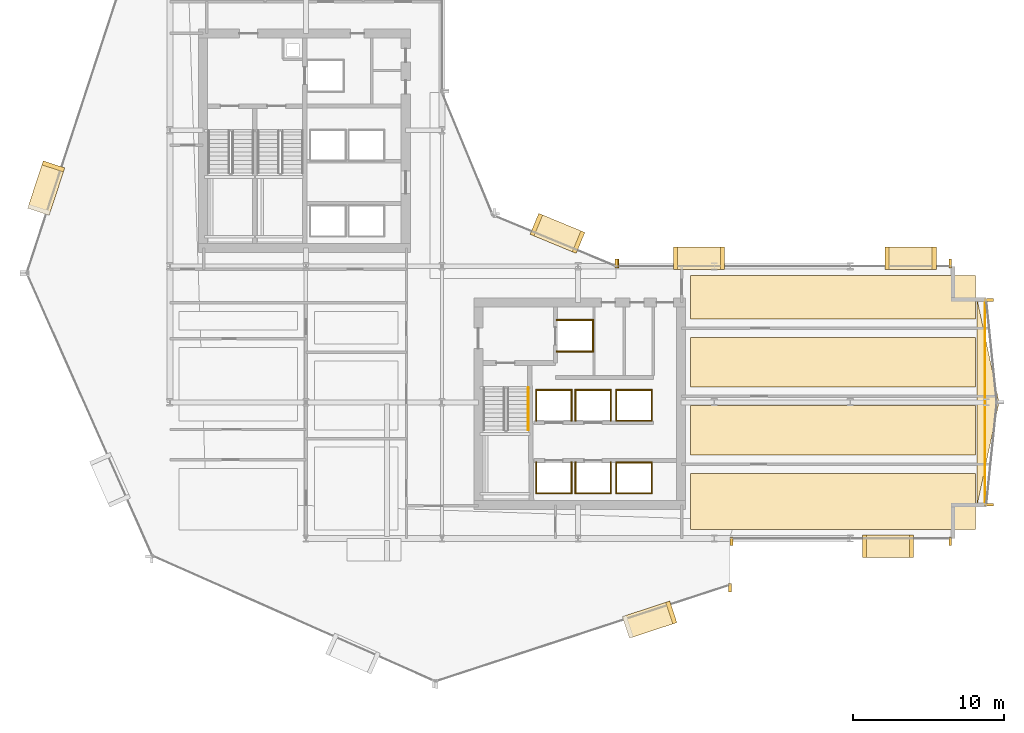
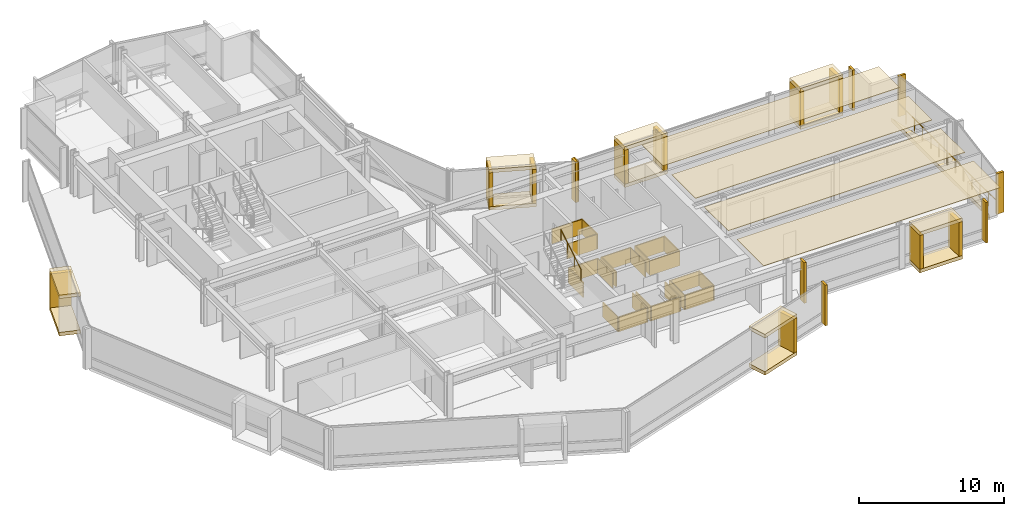
# One storey, part 32 of 34: 58 coverings, 2 railings.
"""IFC4 building model written with IfcOpenShell, lengths in metres."""

from ifc_helpers import new_model, si_unit, direction, frame, origin, origin_2d, place, context, subcontext, project, spatial, polyline, rectangle, circle, outline, extrude, material, layer, layer_set, type_object, element, save


model = new_model("IFC4")

# Units and contexts
model_context = context("Model", 3, precision=1e-05, world=origin(), true_north=direction((0.0, 1.0)))
body_context = subcontext(model_context, "Body", "Model", "MODEL_VIEW")
ifc_project = project(units=[si_unit("LENGTHUNIT", "METRE"), si_unit("AREAUNIT", "SQUARE_METRE"), si_unit("VOLUMEUNIT", "CUBIC_METRE"), si_unit("PLANEANGLEUNIT", "RADIAN"), si_unit("MASSUNIT", "GRAM", prefix="KILO")], contexts=[model_context])

# Site, building, storey
site_placement = place(None, origin())
site = spatial("IfcSite", under=ifc_project, at=site_placement, CompositionType="ELEMENT")
building_placement = place(site_placement, origin())
building = spatial("IfcBuilding", under=site, at=building_placement, Name="Solvaryn Broadcast Tower", CompositionType="ELEMENT")
storey_placement = place(building_placement, frame((0.0, 0.0, 92.800048828125)))
storey = spatial("IfcBuildingStorey", under=building, at=storey_placement, Name="L22", CompositionType="ELEMENT", Elevation=92.800048828125)

# Coverings
ifc_material_1 = material(Name="Micro-Perforated Acoustic Gypsum Ceiling", Category="concrete")
ifc_layer_1 = layer(ifc_material_1, 0.0400390625)
ifc_layer_set_1 = layer_set([ifc_layer_1], Name="CV-CEIL-ACOUSTIC")
covering_type_1 = type_object("IfcCoveringType", Name="CV-CEIL-ACOUSTIC", PredefinedType="CEILING", material=ifc_layer_set_1)
covering_1_placement = place(storey_placement, frame((0.0, 0.0, 3.3798828125)))
element("IfcCovering", 1, at=covering_1_placement, inside=storey, type_object=covering_type_1, Name="L22 Room Acoustic Ceiling 10", PredefinedType="CEILING", context=body_context, shape_type="SweptSolid", body=[
    extrude(outline(polyline([(43.449951171875, 9.60009765625), (62.300048828125, 9.60009765625), (62.300048828125, 13.300048828125), (43.449951171875, 13.300048828125), (43.449951171875, 9.60009765625)])), origin(), (0.0, 0.0, 1.0), 0.0400390625),
])
covering_2_placement = place(storey_placement, frame((0.0, 0.0, 3.3798828125)))
element("IfcCovering", 2, at=covering_2_placement, inside=storey, type_object=covering_type_1, Name="L22 Room Acoustic Ceiling 11", PredefinedType="CEILING", context=body_context, shape_type="SweptSolid", body=[
    extrude(outline(polyline([(43.449951171875, 14.5), (62.300048828125, 14.5), (62.300048828125, 17.800048828125), (43.449951171875, 17.800048828125), (43.449951171875, 14.5)])), origin(), (0.0, 0.0, 1.0), 0.0400390625),
])
covering_3_placement = place(storey_placement, frame((0.0, 0.0, 3.3798828125)))
element("IfcCovering", 3, at=covering_3_placement, inside=storey, type_object=covering_type_1, Name="L22 Room Acoustic Ceiling 12", PredefinedType="CEILING", context=body_context, shape_type="SweptSolid", body=[
    extrude(outline(polyline([(43.449951171875, 19.0), (62.300048828125, 19.0), (62.300048828125, 22.300048828125), (43.449951171875, 22.300048828125), (43.449951171875, 19.0)])), origin(), (0.0, 0.0, 1.0), 0.0400390625),
])
covering_4_placement = place(storey_placement, frame((0.0, 0.0, 3.3798828125)))
element("IfcCovering", 4, at=covering_4_placement, inside=storey, type_object=covering_type_1, Name="L22 Room Acoustic Ceiling 13", PredefinedType="CEILING", context=body_context, shape_type="SweptSolid", body=[
    extrude(outline(polyline([(43.449951171875, 23.5), (62.300048828125, 23.5), (62.300048828125, 26.39990234375), (43.449951171875, 26.39990234375), (43.449951171875, 23.5)])), origin(), (0.0, 0.0, 1.0), 0.0400390625),
])
ifc_material_2 = material(Name="Fire-Rated Gypsum Shaftwall Liner", Category="concrete")
ifc_layer_2 = layer(ifc_material_2, 0.080078125)
ifc_layer_set_2 = layer_set([ifc_layer_2], Name="CV-SHAFT-LINER")
covering_type_2 = type_object("IfcCoveringType", Name="CV-SHAFT-LINER", PredefinedType="CLADDING", material=ifc_layer_set_2)
for number, where, z_axis, x_axis, name in (
    (5, (35.800048828125, 23.43994140625, 0.0), (0.0, 0.0, 1.0), (1.0, 0.0, 0.0), "L22 FL2 Hoistway Shaft Liner North"),
    (6, (35.800048828125, 21.360107421875, 0.0), (0.0, 0.0, 1.0), (1.0, 0.0, 0.0), "L22 FL2 Hoistway Shaft Liner South"),
):
    element("IfcCovering", number, at=place(storey_placement, frame(where, z_axis=z_axis, x_axis=x_axis)), inside=storey, type_object=covering_type_2, Name=name, PredefinedType="CLADDING", context=body_context, shape_type="SweptSolid", body=[
        extrude(rectangle(XDim=2.4599609375, YDim=0.080078125, at=origin_2d()), origin(), (0.0, 0.0, 1.0), 1.25),
    ])
covering_5_placement = place(storey_placement, frame((36.989990234375, 22.39990234375, 0.0), z_axis=(0.0, 0.0, 1.0), x_axis=(1.0, 0.0, 0.0)))
element("IfcCovering", 7, at=covering_5_placement, inside=storey, type_object=covering_type_2, Name="L22 FL2 Hoistway Shaft Liner East", PredefinedType="CLADDING", context=body_context, shape_type="SweptSolid", body=[
    extrude(rectangle(XDim=0.080078125, YDim=2.159912109375, at=origin_2d()), origin(), (0.0, 0.0, 1.0), 1.25),
])
covering_6_placement = place(storey_placement, frame((34.39990234375, 11.985107421875, 0.0), z_axis=(0.0, 0.0, 1.0), x_axis=(1.0, 0.0, 0.0)))
element("IfcCovering", 8, at=covering_6_placement, inside=storey, type_object=covering_type_2, Name="L22 PL1 Hoistway Shaft Liner South", PredefinedType="CLADDING", context=body_context, shape_type="SweptSolid", body=[
    extrude(rectangle(XDim=2.409912109375, YDim=0.080078125, at=origin_2d()), origin(), (0.0, 0.0, 1.0), 1.25),
])
for number, where, z_axis, x_axis, name in (
    (9, (35.56494140625, 13.0, 0.0), (0.0, 0.0, 1.0), (1.0, 0.0, 0.0), "L22 PL1 Hoistway Shaft Liner East"),
    (10, (33.235107421875, 13.0, 0.0), (0.0, 0.0, 1.0), (1.0, 0.0, 0.0), "L22 PL1 Hoistway Shaft Liner West"),
):
    element("IfcCovering", number, at=place(storey_placement, frame(where, z_axis=z_axis, x_axis=x_axis)), inside=storey, type_object=covering_type_2, Name=name, PredefinedType="CLADDING", context=body_context, shape_type="SweptSolid", body=[
        extrude(rectangle(XDim=0.080078125, YDim=2.110107421875, at=origin_2d()), origin(), (0.0, 0.0, 1.0), 1.25),
    ])
covering_7_placement = place(storey_placement, frame((37.0, 11.985107421875, 0.0), z_axis=(0.0, 0.0, 1.0), x_axis=(1.0, 0.0, 0.0)))
element("IfcCovering", 11, at=covering_7_placement, inside=storey, type_object=covering_type_2, Name="L22 PL2 Hoistway Shaft Liner South", PredefinedType="CLADDING", context=body_context, shape_type="SweptSolid", body=[
    extrude(rectangle(XDim=2.409912109375, YDim=0.080078125, at=origin_2d()), origin(), (0.0, 0.0, 1.0), 1.25),
])
for number, where, z_axis, x_axis, name in (
    (12, (38.1650390625, 13.0, 0.0), (0.0, 0.0, 1.0), (1.0, 0.0, 0.0), "L22 PL2 Hoistway Shaft Liner East"),
    (13, (35.8349609375, 13.0, 0.0), (0.0, 0.0, 1.0), (1.0, 0.0, 0.0), "L22 PL2 Hoistway Shaft Liner West"),
):
    element("IfcCovering", number, at=place(storey_placement, frame(where, z_axis=z_axis, x_axis=x_axis)), inside=storey, type_object=covering_type_2, Name=name, PredefinedType="CLADDING", context=body_context, shape_type="SweptSolid", body=[
        extrude(rectangle(XDim=0.080078125, YDim=2.110107421875, at=origin_2d()), origin(), (0.0, 0.0, 1.0), 1.25),
    ])
covering_8_placement = place(storey_placement, frame((34.39990234375, 18.81494140625, 0.0), z_axis=(0.0, 0.0, 1.0), x_axis=(1.0, 0.0, 0.0)))
element("IfcCovering", 14, at=covering_8_placement, inside=storey, type_object=covering_type_2, Name="L22 PL3 Hoistway Shaft Liner North", PredefinedType="CLADDING", context=body_context, shape_type="SweptSolid", body=[
    extrude(rectangle(XDim=2.409912109375, YDim=0.080078125, at=origin_2d()), origin(), (0.0, 0.0, 1.0), 1.25),
])
for number, where, z_axis, x_axis, name in (
    (15, (35.56494140625, 17.800048828125, 0.0), (0.0, 0.0, 1.0), (1.0, 0.0, 0.0), "L22 PL3 Hoistway Shaft Liner East"),
    (16, (33.235107421875, 17.800048828125, 0.0), (0.0, 0.0, 1.0), (1.0, 0.0, 0.0), "L22 PL3 Hoistway Shaft Liner West"),
):
    element("IfcCovering", number, at=place(storey_placement, frame(where, z_axis=z_axis, x_axis=x_axis)), inside=storey, type_object=covering_type_2, Name=name, PredefinedType="CLADDING", context=body_context, shape_type="SweptSolid", body=[
        extrude(rectangle(XDim=0.080078125, YDim=2.110107421875, at=origin_2d()), origin(), (0.0, 0.0, 1.0), 1.25),
    ])
covering_9_placement = place(storey_placement, frame((37.0, 18.81494140625, 0.0), z_axis=(0.0, 0.0, 1.0), x_axis=(1.0, 0.0, 0.0)))
element("IfcCovering", 17, at=covering_9_placement, inside=storey, type_object=covering_type_2, Name="L22 PL4 Hoistway Shaft Liner North", PredefinedType="CLADDING", context=body_context, shape_type="SweptSolid", body=[
    extrude(rectangle(XDim=2.409912109375, YDim=0.080078125, at=origin_2d()), origin(), (0.0, 0.0, 1.0), 1.25),
])
for number, where, z_axis, x_axis, name in (
    (18, (38.1650390625, 17.800048828125, 0.0), (0.0, 0.0, 1.0), (1.0, 0.0, 0.0), "L22 PL4 Hoistway Shaft Liner East"),
    (19, (35.8349609375, 17.800048828125, 0.0), (0.0, 0.0, 1.0), (1.0, 0.0, 0.0), "L22 PL4 Hoistway Shaft Liner West"),
):
    element("IfcCovering", number, at=place(storey_placement, frame(where, z_axis=z_axis, x_axis=x_axis)), inside=storey, type_object=covering_type_2, Name=name, PredefinedType="CLADDING", context=body_context, shape_type="SweptSolid", body=[
        extrude(rectangle(XDim=0.080078125, YDim=2.110107421875, at=origin_2d()), origin(), (0.0, 0.0, 1.0), 1.25),
    ])
for number, where, z_axis, x_axis, name in (
    (20, (39.699951171875, 14.014892578125, 0.0), (0.0, 0.0, 1.0), (1.0, 0.0, 0.0), "L22 PM1 Hoistway Shaft Liner North"),
    (21, (39.699951171875, 11.985107421875, 0.0), (0.0, 0.0, 1.0), (1.0, 0.0, 0.0), "L22 PM1 Hoistway Shaft Liner South"),
):
    element("IfcCovering", number, at=place(storey_placement, frame(where, z_axis=z_axis, x_axis=x_axis)), inside=storey, type_object=covering_type_2, Name=name, PredefinedType="CLADDING", context=body_context, shape_type="SweptSolid", body=[
        extrude(rectangle(XDim=2.409912109375, YDim=0.080078125, at=origin_2d()), origin(), (0.0, 0.0, 1.0), 1.25),
    ])
for number, where, z_axis, x_axis, name in (
    (22, (40.864990234375, 13.0, 0.0), (0.0, 0.0, 1.0), (1.0, 0.0, 0.0), "L22 PM1 Hoistway Shaft Liner East"),
    (23, (38.534912109375, 13.0, 0.0), (0.0, 0.0, 1.0), (1.0, 0.0, 0.0), "L22 PM1 Hoistway Shaft Liner West"),
):
    element("IfcCovering", number, at=place(storey_placement, frame(where, z_axis=z_axis, x_axis=x_axis)), inside=storey, type_object=covering_type_2, Name=name, PredefinedType="CLADDING", context=body_context, shape_type="SweptSolid", body=[
        extrude(rectangle(XDim=0.080078125, YDim=2.110107421875, at=origin_2d()), origin(), (0.0, 0.0, 1.0), 1.25),
    ])
for number, where, z_axis, x_axis, name in (
    (24, (39.699951171875, 18.81494140625, 0.0), (0.0, 0.0, 1.0), (1.0, 0.0, 0.0), "L22 PM2 Hoistway Shaft Liner North"),
    (25, (39.699951171875, 16.784912109375, 0.0), (0.0, 0.0, 1.0), (1.0, 0.0, 0.0), "L22 PM2 Hoistway Shaft Liner South"),
):
    element("IfcCovering", number, at=place(storey_placement, frame(where, z_axis=z_axis, x_axis=x_axis)), inside=storey, type_object=covering_type_2, Name=name, PredefinedType="CLADDING", context=body_context, shape_type="SweptSolid", body=[
        extrude(rectangle(XDim=2.409912109375, YDim=0.080078125, at=origin_2d()), origin(), (0.0, 0.0, 1.0), 1.25),
    ])
for number, where, z_axis, x_axis, name in (
    (26, (40.864990234375, 17.800048828125, 0.0), (0.0, 0.0, 1.0), (1.0, 0.0, 0.0), "L22 PM2 Hoistway Shaft Liner East"),
    (27, (38.534912109375, 17.800048828125, 0.0), (0.0, 0.0, 1.0), (1.0, 0.0, 0.0), "L22 PM2 Hoistway Shaft Liner West"),
):
    element("IfcCovering", number, at=place(storey_placement, frame(where, z_axis=z_axis, x_axis=x_axis)), inside=storey, type_object=covering_type_2, Name=name, PredefinedType="CLADDING", context=body_context, shape_type="SweptSolid", body=[
        extrude(rectangle(XDim=0.080078125, YDim=2.110107421875, at=origin_2d()), origin(), (0.0, 0.0, 1.0), 1.25),
    ])
ifc_material_3 = material(Name="Glazed Architectural Terracotta Rainscreen Cladding", Category="masonry")
ifc_layer_3 = layer(ifc_material_3, 0.280029296875)
ifc_layer_set_3 = layer_set([ifc_layer_3], Name="CV-TC-CLAD")
covering_type_3 = type_object("IfcCoveringType", Name="CV-TC-CLAD", PredefinedType="CLADDING", material=ifc_layer_set_3)
for number, where, z_axis, x_axis, name in (
    (28, (0.819091796875, 32.173095703125, 3.1298828125), (0.0, 0.0, 1.0), (-0.311671636848, -0.950189870912, 0.0), "L22 Projecting Stone Window Box Hood 1"),
    (29, (0.819091796875, 32.173095703125, -0.01025390625), (0.0, 0.0, 1.0), (-0.311671636848, -0.950189870912, 0.0), "L22 Projecting Stone Window Box Sill 1"),
):
    element("IfcCovering", number, at=place(storey_placement, frame(where, z_axis=z_axis, x_axis=x_axis)), inside=storey, type_object=covering_type_3, Name=name, PredefinedType="CLADDING", context=body_context, shape_type="SweptSolid", body=[
        extrude(rectangle(XDim=3.300048828125, YDim=1.5, at=origin_2d()), origin(), (0.0, 0.0, 1.0), 0.300048828125),
    ])
covering_10_placement = place(storey_placement, frame((1.28955078125, 33.60791015625, 0.27978515625), z_axis=(0.0, 0.0, 1.0), x_axis=(-0.311671636848, -0.950189870912, 0.0)))
element("IfcCovering", 30, at=covering_10_placement, inside=storey, type_object=covering_type_3, Name="L22 Projecting Stone Window Box Cheek 1-1", PredefinedType="CLADDING", context=body_context, shape_type="SweptSolid", body=[
    extrude(rectangle(XDim=0.280029296875, YDim=1.5, at=origin_2d()), origin(), (0.0, 0.0, 1.0), 2.860107421875),
])
for number, where, z_axis, x_axis, name in (
    (31, (40.73291015625, 3.6259765625, 3.1298828125), (0.0, 0.0, 1.0), (0.950189870912, 0.311671636848, 0.0), "L22 Projecting Stone Window Box Hood 4"),
    (32, (40.73291015625, 3.6259765625, -0.01025390625), (0.0, 0.0, 1.0), (0.950189870912, 0.311671636848, 0.0), "L22 Projecting Stone Window Box Sill 4"),
):
    element("IfcCovering", number, at=place(storey_placement, frame(where, z_axis=z_axis, x_axis=x_axis)), inside=storey, type_object=covering_type_3, Name=name, PredefinedType="CLADDING", context=body_context, shape_type="SweptSolid", body=[
        extrude(rectangle(XDim=3.300048828125, YDim=1.5, at=origin_2d()), origin(), (0.0, 0.0, 1.0), 0.300048828125),
    ])
covering_11_placement = place(storey_placement, frame((42.167724609375, 4.0966796875, 0.27978515625), z_axis=(0.0, 0.0, 1.0), x_axis=(0.950189870912, 0.311671636848, 0.0)))
element("IfcCovering", 33, at=covering_11_placement, inside=storey, type_object=covering_type_3, Name="L22 Projecting Stone Window Box Cheek 4-2", PredefinedType="CLADDING", context=body_context, shape_type="SweptSolid", body=[
    extrude(rectangle(XDim=0.280029296875, YDim=1.5, at=origin_2d()), origin(), (0.0, 0.0, 1.0), 2.860107421875),
])
for number, where, z_axis, x_axis, name in (
    (34, (34.636962890625, 29.174072265625, 3.1298828125), (0.0, 0.0, 1.0), (-0.923879532511, 0.382683432365, 0.0), "L22 Projecting Stone Window Box Hood 5"),
    (35, (34.636962890625, 29.174072265625, -0.01025390625), (0.0, 0.0, 1.0), (-0.923879532511, 0.382683432365, 0.0), "L22 Projecting Stone Window Box Sill 5"),
):
    element("IfcCovering", number, at=place(storey_placement, frame(where, z_axis=z_axis, x_axis=x_axis)), inside=storey, type_object=covering_type_3, Name=name, PredefinedType="CLADDING", context=body_context, shape_type="SweptSolid", body=[
        extrude(rectangle(XDim=3.300048828125, YDim=1.5, at=origin_2d()), origin(), (0.0, 0.0, 1.0), 0.300048828125),
    ])
for number, where, z_axis, x_axis, name in (
    (36, (36.031982421875, 28.59619140625, 0.27978515625), (0.0, 0.0, 1.0), (-0.923879532511, 0.382683432365, 0.0), "L22 Projecting Stone Window Box Cheek 5-1"),
    (37, (33.241943359375, 29.751953125, 0.27978515625), (0.0, 0.0, 1.0), (-0.923879532511, 0.382683432365, 0.0), "L22 Projecting Stone Window Box Cheek 5-2"),
):
    element("IfcCovering", number, at=place(storey_placement, frame(where, z_axis=z_axis, x_axis=x_axis)), inside=storey, type_object=covering_type_3, Name=name, PredefinedType="CLADDING", context=body_context, shape_type="SweptSolid", body=[
        extrude(rectangle(XDim=0.280029296875, YDim=1.5, at=origin_2d()), origin(), (0.0, 0.0, 1.0), 2.860107421875),
    ])
for number, where, z_axis, x_axis, name in (
    (38, (56.5, 8.469970703125, 3.1298828125), (0.0, 0.0, 1.0), (1.0, 0.0, 0.0), "L22 Projecting Stone Window Box Hood 6"),
    (39, (56.5, 8.469970703125, -0.01025390625), (0.0, 0.0, 1.0), (1.0, 0.0, 0.0), "L22 Projecting Stone Window Box Sill 6"),
):
    element("IfcCovering", number, at=place(storey_placement, frame(where, z_axis=z_axis, x_axis=x_axis)), inside=storey, type_object=covering_type_3, Name=name, PredefinedType="CLADDING", context=body_context, shape_type="SweptSolid", body=[
        extrude(rectangle(XDim=3.39990234375, YDim=1.5, at=origin_2d()), origin(), (0.0, 0.0, 1.0), 0.300048828125),
    ])
for number, where, z_axis, x_axis, name in (
    (40, (54.93994140625, 8.469970703125, 0.27978515625), (0.0, 0.0, 1.0), (1.0, 0.0, 0.0), "L22 Projecting Stone Window Box Cheek 6-1"),
    (41, (58.06005859375, 8.469970703125, 0.27978515625), (0.0, 0.0, 1.0), (1.0, 0.0, 0.0), "L22 Projecting Stone Window Box Cheek 6-2"),
):
    element("IfcCovering", number, at=place(storey_placement, frame(where, z_axis=z_axis, x_axis=x_axis)), inside=storey, type_object=covering_type_3, Name=name, PredefinedType="CLADDING", context=body_context, shape_type="SweptSolid", body=[
        extrude(rectangle(XDim=0.280029296875, YDim=1.5, at=origin_2d()), origin(), (0.0, 0.0, 1.0), 2.860107421875),
    ])
for number, where, z_axis, x_axis, name in (
    (42, (44.0, 27.530029296875, 3.1298828125), (0.0, 0.0, 1.0), (1.0, 0.0, 0.0), "L22 Projecting Stone Window Box Hood 7"),
    (43, (44.0, 27.530029296875, -0.01025390625), (0.0, 0.0, 1.0), (1.0, 0.0, 0.0), "L22 Projecting Stone Window Box Sill 7"),
):
    element("IfcCovering", number, at=place(storey_placement, frame(where, z_axis=z_axis, x_axis=x_axis)), inside=storey, type_object=covering_type_3, Name=name, PredefinedType="CLADDING", context=body_context, shape_type="SweptSolid", body=[
        extrude(rectangle(XDim=3.39990234375, YDim=1.5, at=origin_2d()), origin(), (0.0, 0.0, 1.0), 0.300048828125),
    ])
for number, where, z_axis, x_axis, name in (
    (44, (42.43994140625, 27.530029296875, 0.27978515625), (0.0, 0.0, 1.0), (1.0, 0.0, 0.0), "L22 Projecting Stone Window Box Cheek 7-1"),
    (45, (45.56005859375, 27.530029296875, 0.27978515625), (0.0, 0.0, 1.0), (1.0, 0.0, 0.0), "L22 Projecting Stone Window Box Cheek 7-2"),
):
    element("IfcCovering", number, at=place(storey_placement, frame(where, z_axis=z_axis, x_axis=x_axis)), inside=storey, type_object=covering_type_3, Name=name, PredefinedType="CLADDING", context=body_context, shape_type="SweptSolid", body=[
        extrude(rectangle(XDim=0.280029296875, YDim=1.5, at=origin_2d()), origin(), (0.0, 0.0, 1.0), 2.860107421875),
    ])
for number, where, z_axis, x_axis, name in (
    (46, (58.0, 27.530029296875, 3.1298828125), (0.0, 0.0, 1.0), (1.0, 0.0, 0.0), "L22 Projecting Stone Window Box Hood 8"),
    (47, (58.0, 27.530029296875, -0.01025390625), (0.0, 0.0, 1.0), (1.0, 0.0, 0.0), "L22 Projecting Stone Window Box Sill 8"),
):
    element("IfcCovering", number, at=place(storey_placement, frame(where, z_axis=z_axis, x_axis=x_axis)), inside=storey, type_object=covering_type_3, Name=name, PredefinedType="CLADDING", context=body_context, shape_type="SweptSolid", body=[
        extrude(rectangle(XDim=3.39990234375, YDim=1.5, at=origin_2d()), origin(), (0.0, 0.0, 1.0), 0.300048828125),
    ])
for number, where, z_axis, x_axis, name in (
    (48, (56.43994140625, 27.530029296875, 0.27978515625), (0.0, 0.0, 1.0), (1.0, 0.0, 0.0), "L22 Projecting Stone Window Box Cheek 8-1"),
    (49, (59.56005859375, 27.530029296875, 0.27978515625), (0.0, 0.0, 1.0), (1.0, 0.0, 0.0), "L22 Projecting Stone Window Box Cheek 8-2"),
):
    element("IfcCovering", number, at=place(storey_placement, frame(where, z_axis=z_axis, x_axis=x_axis)), inside=storey, type_object=covering_type_3, Name=name, PredefinedType="CLADDING", context=body_context, shape_type="SweptSolid", body=[
        extrude(rectangle(XDim=0.280029296875, YDim=1.5, at=origin_2d()), origin(), (0.0, 0.0, 1.0), 2.860107421875),
    ])
ifc_material_4 = material(Name="Extruded Architectural Terracotta Fin", Category="masonry")
ifc_layer_4 = layer(ifc_material_4, 0.179931640625)
ifc_layer_set_4 = layer_set([ifc_layer_4], Name="CV-TC-FIN")
covering_type_4 = type_object("IfcCoveringType", Name="CV-TC-FIN", PredefinedType="USERDEFINED", material=ifc_layer_set_4)
for number, where, z_axis, x_axis, name in (
    (50, (46.043701171875, 5.735595703125, 0.0), (0.0, 0.0, 1.0), (1.0, 0.0, 0.0), "L22 Terracotta Vertical Fin FIN-L22-DR4-M01"),
    (51, (38.541259765625, 27.177978515625, 0.0), (0.0, 0.0, 1.0), (1.0, 0.0, 0.0), "L22 Terracotta Vertical Fin FIN-L22-CN1-M00"),
    (52, (46.14599609375, 8.8125, 0.0), (0.0, 0.0, 1.0), (1.0, 0.0, 0.0), "L22 Terracotta Vertical Fin FIN-L22-S2-M00"),
    (53, (60.6201171875, 8.8125, 0.0), (0.0, 0.0, 1.0), (1.0, 0.0, 0.0), "L22 Terracotta Vertical Fin FIN-L22-S2-M01"),
):
    element("IfcCovering", number, at=place(storey_placement, frame(where, z_axis=z_axis, x_axis=x_axis)), inside=storey, type_object=covering_type_4, Name=name, ObjectType="FIN", PredefinedType="USERDEFINED", context=body_context, shape_type="SweptSolid", body=[
        extrude(rectangle(XDim=0.179931640625, YDim=0.580078125, at=origin_2d()), origin(), (0.0, 0.0, 1.0), 3.419921875),
    ])
for number, where, z_axis, x_axis, name in (
    (54, (63.190673828125, 24.770263671875, 0.0), (0.0, 0.0, 1.0), (1.0, 0.0, 0.0), "L22 Terracotta Vertical Fin FIN-L22-ET1-M00"),
    (55, (63.190673828125, 11.229736328125, 0.0), (0.0, 0.0, 1.0), (1.0, 0.0, 0.0), "L22 Terracotta Vertical Fin FIN-L22-ET2-M01"),
):
    element("IfcCovering", number, at=place(storey_placement, frame(where, z_axis=z_axis, x_axis=x_axis)), inside=storey, type_object=covering_type_4, Name=name, ObjectType="FIN", PredefinedType="USERDEFINED", context=body_context, shape_type="SweptSolid", body=[
        extrude(rectangle(XDim=0.580078125, YDim=0.179931640625, at=origin_2d()), origin(), (0.0, 0.0, 1.0), 3.419921875),
    ])
for number, where, z_axis, x_axis, name in (
    (56, (38.6298828125, 27.1875, 0.0), (0.0, 0.0, 1.0), (1.0, 0.0, 0.0), "L22 Terracotta Vertical Fin FIN-L22-IH-M00"),
    (57, (60.6201171875, 27.1875, 0.0), (0.0, 0.0, 1.0), (1.0, 0.0, 0.0), "L22 Terracotta Vertical Fin FIN-L22-IH-M01"),
):
    element("IfcCovering", number, at=place(storey_placement, frame(where, z_axis=z_axis, x_axis=x_axis)), inside=storey, type_object=covering_type_4, Name=name, ObjectType="FIN", PredefinedType="USERDEFINED", context=body_context, shape_type="SweptSolid", body=[
        extrude(rectangle(XDim=0.179931640625, YDim=0.580078125, at=origin_2d()), origin(), (0.0, 0.0, 1.0), 3.419921875),
    ])
ifc_material_5 = material(Name="Sculpted Architectural Terracotta Wave Fascia", Category="masonry")
ifc_layer_5 = layer(ifc_material_5, 0.340087890625)
ifc_layer_set_5 = layer_set([ifc_layer_5], Name="CV-WAVE-TRAY")
covering_type_5 = type_object("IfcCoveringType", Name="CV-WAVE-TRAY", PredefinedType="CLADDING", material=ifc_layer_set_5)
covering_12_placement = place(storey_placement, frame((0.0, 0.0, -0.300048828125)))
element("IfcCovering", 58, at=covering_12_placement, inside=storey, type_object=covering_type_5, Name="L22 East Curved Wing Deck", PredefinedType="CLADDING", context=body_context, shape_type="SweptSolid", body=[
    extrude(outline(polyline([(62.39990234375, 11.199951171875), (63.85009765625, 18.0), (62.39990234375, 24.800048828125), (62.39990234375, 11.199951171875)])), origin(), (0.0, 0.0, 1.0), 0.330078125),
])

# Railings
ifc_material_6 = material(Name="Brushed Stainless Steel Tubular Handrail", Category="steel")
railing_type_1 = type_object("IfcRailingType", Name="RL-STAIR-HANDRAIL", PredefinedType="HANDRAIL", material=ifc_material_6)
railing_1_placement = place(storey_placement, frame((32.699951171875, 16.159912109375, 2.01806640625)))
element("IfcRailing", 59, at=railing_1_placement, inside=storey, type_object=railing_type_1, Name="L22 ST3 stair handrail 2", PredefinedType="HANDRAIL", context=body_context, shape_type="SweptSolid", body=[
    extrude(circle(Radius=0.02392578125, at=origin_2d()), frame((0.0, 0.0, 0.8759765625), z_axis=(0.0, 0.857242210791, 0.514913383045), x_axis=(-1.0, 0.0, 0.0)), (0.0, 0.0, 1.0), 3.266357421875),
    extrude(circle(Radius=0.02099609375, at=origin_2d()), origin(), (0.0, 0.0, 1.0), 0.851806640625),
    extrude(circle(Radius=0.02099609375, at=origin_2d()), frame((0.0, 0.933349609375, 0.560546875)), (0.0, 0.0, 1.0), 0.851806640625),
    extrude(circle(Radius=0.02099609375, at=origin_2d()), frame((0.0, 1.86669921875, 1.121337890625)), (0.0, 0.0, 1.0), 0.851806640625),
    extrude(circle(Radius=0.02099609375, at=origin_2d()), frame((0.0, 2.800048828125, 1.681884765625)), (0.0, 0.0, 1.0), 0.851806640625),
])
ifc_material_7 = material(Name="Stainless Steel and Laminated Glass Guard", Category="steel")
railing_type_2 = type_object("IfcRailingType", Name="RL-TER-1150", PredefinedType="BALUSTRADE", material=ifc_material_7)
railing_2_placement = place(storey_placement, frame((62.919921875, 11.199951171875, 0.0)))
element("IfcRailing", 60, at=railing_2_placement, inside=storey, type_object=railing_type_2, Name="L22 East Wing Spandrel Edge Guard", PredefinedType="BALUSTRADE", context=body_context, shape_type="SweptSolid", body=[
    extrude(circle(Radius=0.02392578125, at=origin_2d()), frame((0.0, 0.0, 1.1259765625), z_axis=(0.0, 1.0, 0.0), x_axis=(-1.0, 0.0, 0.0)), (0.0, 0.0, 1.0), 13.60009765625),
    extrude(circle(Radius=0.02099609375, at=origin_2d()), origin(), (0.0, 0.0, 1.0), 1.101806640625),
    extrude(circle(Radius=0.02099609375, at=origin_2d()), frame((0.0, 1.13330078125, 0.0)), (0.0, 0.0, 1.0), 1.101806640625),
    extrude(circle(Radius=0.02099609375, at=origin_2d()), frame((0.0, 2.2666015625, 0.0)), (0.0, 0.0, 1.0), 1.101806640625),
    extrude(circle(Radius=0.02099609375, at=origin_2d()), frame((0.0, 3.39990234375, 0.0)), (0.0, 0.0, 1.0), 1.101806640625),
    extrude(circle(Radius=0.02099609375, at=origin_2d()), frame((0.0, 4.533447265625, 0.0)), (0.0, 0.0, 1.0), 1.101806640625),
    extrude(circle(Radius=0.02099609375, at=origin_2d()), frame((0.0, 5.666748046875, 0.0)), (0.0, 0.0, 1.0), 1.101806640625),
    extrude(circle(Radius=0.02099609375, at=origin_2d()), frame((0.0, 6.800048828125, 0.0)), (0.0, 0.0, 1.0), 1.101806640625),
    extrude(circle(Radius=0.02099609375, at=origin_2d()), frame((0.0, 7.933349609375, 0.0)), (0.0, 0.0, 1.0), 1.101806640625),
    extrude(circle(Radius=0.02099609375, at=origin_2d()), frame((0.0, 9.066650390625, 0.0)), (0.0, 0.0, 1.0), 1.101806640625),
    extrude(circle(Radius=0.02099609375, at=origin_2d()), frame((0.0, 10.2001953125, 0.0)), (0.0, 0.0, 1.0), 1.101806640625),
    extrude(circle(Radius=0.02099609375, at=origin_2d()), frame((0.0, 11.33349609375, 0.0)), (0.0, 0.0, 1.0), 1.101806640625),
    extrude(circle(Radius=0.02099609375, at=origin_2d()), frame((0.0, 12.466796875, 0.0)), (0.0, 0.0, 1.0), 1.101806640625),
    extrude(circle(Radius=0.02099609375, at=origin_2d()), frame((0.0, 13.60009765625, 0.0)), (0.0, 0.0, 1.0), 1.101806640625),
])

save(model, "model.ifc")
